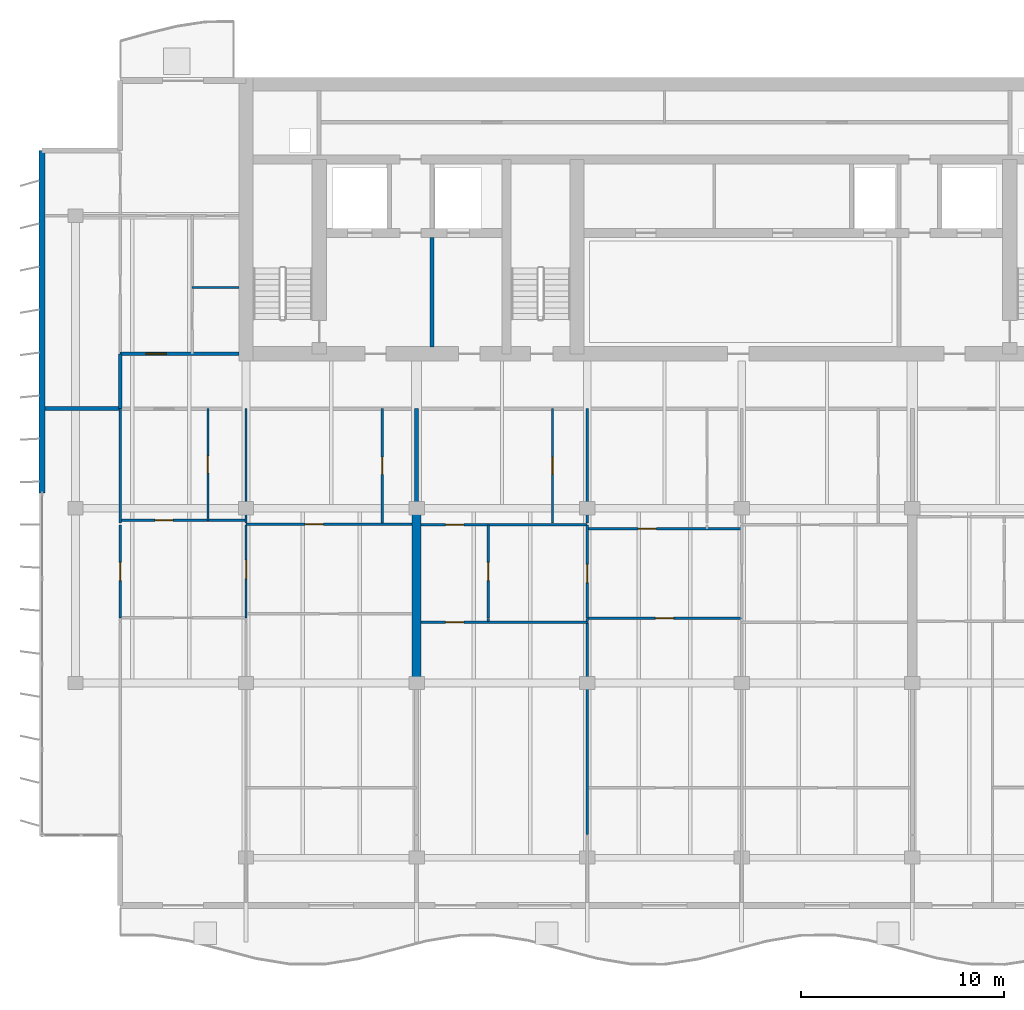
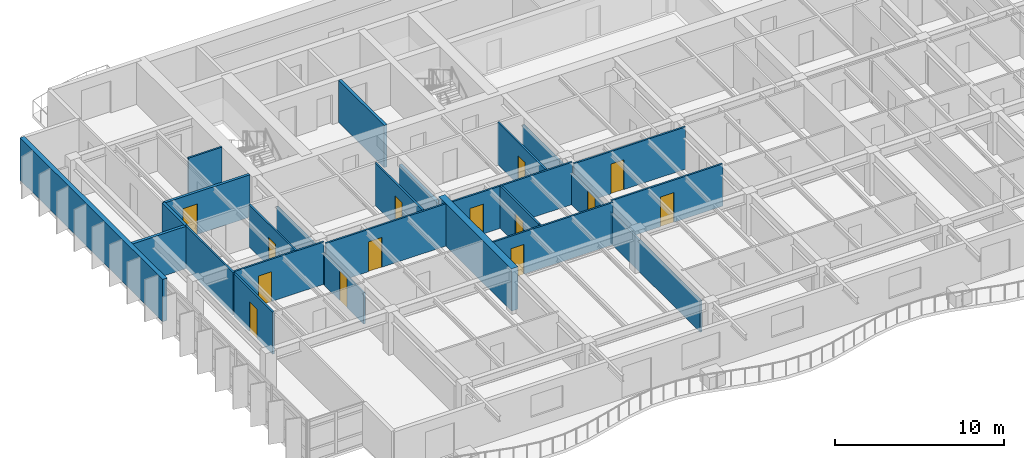
# One storey, part 8 of 19: 27 walls, 14 doors, 14 openings.
"""IFC4 building model written with IfcOpenShell, lengths in metres."""

from ifc_helpers import new_model, si_unit, direction, frame, frame_2d, origin, place, context, subcontext, project, spatial, rectangle, extrude, material, layer, layer_set, type_object, element, fill, save


model = new_model("IFC4")

# Units and contexts
model_context = context("Model", 3, precision=1e-05, world=origin(), true_north=direction((0.0, 1.0)))
body_context = subcontext(model_context, "Body", "Model", "MODEL_VIEW")
ifc_project = project(units=[si_unit("LENGTHUNIT", "METRE"), si_unit("AREAUNIT", "SQUARE_METRE"), si_unit("VOLUMEUNIT", "CUBIC_METRE"), si_unit("PLANEANGLEUNIT", "RADIAN"), si_unit("MASSUNIT", "GRAM", prefix="KILO")], contexts=[model_context])

# Site, building, storey
site_placement = place(None, origin())
site = spatial("IfcSite", under=ifc_project, at=site_placement, CompositionType="ELEMENT")
building_placement = place(site_placement, origin())
building = spatial("IfcBuilding", under=site, at=building_placement, Name="Caelmar Bay Residences", CompositionType="ELEMENT")
storey_placement = place(building_placement, frame((0.0, 0.0, 256.199951171875)))
storey = spatial("IfcBuildingStorey", under=building, at=storey_placement, Name="L72", CompositionType="ELEMENT", Elevation=256.199951171875)

# Walls
ifc_material_1 = material(Name="Concrete f'c 55 MPa (8,000 psi)", Category="concrete")
ifc_layer_1 = layer(ifc_material_1, 0.449951171875)
ifc_layer_set_1 = layer_set([ifc_layer_1], Name="Concrete f'c 55 MPa (8,000 psi)")
wall_type_1 = type_object("IfcWallType", Name="SW-XSLB-450", PredefinedType="SHEAR", material=ifc_layer_set_1)
wall_1_placement = place(storey_placement, frame((26.699951171875, 20.800048828125, 0.0), z_axis=(0.0, 0.0, 1.0), x_axis=(0.0, 1.0, 0.0)))
element("IfcWall", 1, at=wall_1_placement, inside=storey, type_object=wall_type_1, Name="L72 Transverse Cross-Slab Shear Wall W5", PredefinedType="SHEAR", context=body_context, shape_type="SweptSolid", body=[
    extrude(rectangle(XDim=8.599853515625, YDim=0.449951171875, at=frame_2d((4.2998046875, 0.0))), origin(), (0.0, 0.0, 1.0), 3.050048828125),
])
ifc_material_2 = material(Name="Double-stud acoustic fire-rated gypsum partition 180 mm")
ifc_layer_2 = layer(ifc_material_2, 0.179931640625)
ifc_layer_set_2 = layer_set([ifc_layer_2], Name="Double-stud acoustic fire-rated gypsum partition 180 mm")
wall_type_2 = type_object("IfcWallType", Name="W-COR-200", PredefinedType="PARTITIONING", material=ifc_layer_set_2)
wall_2_placement = place(storey_placement, frame((12.10009765625, 34.304931640625, 0.0), z_axis=(0.0, 0.0, 1.0), x_axis=(0.0, 1.0, 0.0)))
element("IfcWall", 2, at=wall_2_placement, inside=storey, type_object=wall_type_2, Name="L72 Partition Wall V005", PredefinedType="PARTITIONING", context=body_context, shape_type="SweptSolid", body=[
    extrude(rectangle(XDim=2.695068359375, YDim=0.179931640625, at=frame_2d((1.34765625, 0.0))), origin(), (0.0, 0.0, 1.0), 3.050048828125),
])

# Wall, opening, door
wall_3_placement = place(storey_placement, frame((12.10009765625, 37.0, 0.0), z_axis=(0.0, 0.0, 1.0), x_axis=(1.0, 0.0, 0.0)))
wall_3 = element("IfcWall", 3, at=wall_3_placement, inside=storey, type_object=wall_type_2, Name="L72 Partition Wall H089", PredefinedType="PARTITIONING", context=body_context, shape_type="SweptSolid", body=[
    extrude(rectangle(XDim=5.844970703125, YDim=0.179931640625, at=frame_2d((2.92236328125, 0.0))), origin(), (0.0, 0.0, 1.0), 3.050048828125),
])
opening_1_placement = place(wall_3_placement, frame((1.27490234375, 0.0, 0.0)))
opening_1 = element("IfcOpeningElement", 4, at=opening_1_placement, cuts=wall_3, Name="Opening D-L72-158", PredefinedType="OPENING", context=body_context, shape_type="SweptSolid", body=[
    extrude(rectangle(XDim=1.0, YDim=2.199951171875, at=frame_2d((0.5, 1.10009765625))), frame((0.0, 0.099853515625, 0.0), z_axis=(0.0, -1.0, 0.0), x_axis=(1.0, 0.0, 0.0)), (0.0, 0.0, 1.0), 0.199951171875),
])
ifc_material_3 = material(Name="Fire-rated steel and walnut architectural door assembly", Category="steel")
ifc_layer_3 = layer(ifc_material_3, 0.050048828125)
ifc_layer_set_3 = layer_set([ifc_layer_3], Name="Fire-rated steel and walnut architectural door assembly")
door_type_1 = type_object("IfcDoorType", Name="D-UNIT-1000", OperationType="NOTDEFINED", PredefinedType="DOOR", material=ifc_layer_set_3)
door_1_placement = place(opening_1_placement, origin())
door_1 = element("IfcDoor", 5, at=door_1_placement, inside=storey, type_object=door_type_1, Name="L72 Residence WA Kitchen Door", OperationType="SINGLE_SWING_RIGHT", OverallHeight=2.199951171875, OverallWidth=1.0, PredefinedType="DOOR", context=body_context, shape_type="SweptSolid", body=[
    extrude(rectangle(XDim=1.0, YDim=2.199951171875, at=frame_2d((0.5, 1.10009765625))), frame((0.0, 0.02490234375, 0.0), z_axis=(0.0, -1.0, 0.0), x_axis=(1.0, 0.0, 0.0)), (0.0, 0.0, 1.0), 0.050048828125),
])
fill(opening_1, door_1)

# Walls
ifc_material_4 = material(Name="Precast concrete f'c 40 MPa (6,000 psi)", Category="concrete")
ifc_layer_4 = layer(ifc_material_4, 0.300048828125)
ifc_layer_set_4 = layer_set([ifc_layer_4], Name="Precast concrete f'c 40 MPa (6,000 psi)")
wall_type_3 = type_object("IfcWallType", Name="W-EXT-300", PredefinedType="STANDARD", material=ifc_layer_set_4)
wall_4_placement = place(storey_placement, frame((8.25, 30.14990234375, 0.0), z_axis=(0.0, 0.0, 1.0), x_axis=(0.0, 1.0, 0.0)))
element("IfcWall", 6, at=wall_4_placement, inside=storey, type_object=wall_type_3, Name="L72 West Rear Exterior Wall", PredefinedType="STANDARD", context=body_context, shape_type="SweptSolid", body=[
    extrude(rectangle(XDim=16.85009765625, YDim=0.300048828125, at=frame_2d((8.425048828125, 0.0))), origin(), (0.0, 0.0, 1.0), 3.050048828125),
])
ifc_material_5 = material(Name="Fire-rated masonry and gypsum shaftliner assembly 200 mm", Category="masonry")
ifc_layer_5 = layer(ifc_material_5, 0.199951171875)
ifc_layer_set_5 = layer_set([ifc_layer_5], Name="Fire-rated masonry and gypsum shaftliner assembly 200 mm")
wall_type_4 = type_object("IfcWallType", Name="W-FSAE-200", PredefinedType="PARTITIONING", material=ifc_layer_set_5)
wall_5_placement = place(storey_placement, frame((27.449951171875, 37.344970703125, 0.0), z_axis=(0.0, 0.0, 1.0), x_axis=(0.0, 1.0, 0.0)))
element("IfcWall", 7, at=wall_5_placement, inside=storey, type_object=wall_type_4, Name="L72 Partition Wall V020", PredefinedType="PARTITIONING", context=body_context, shape_type="SweptSolid", body=[
    extrude(rectangle(XDim=5.385009765625, YDim=0.199951171875, at=frame_2d((2.6923828125, 0.0))), origin(), (0.0, 0.0, 1.0), 3.050048828125),
])

# Wall, opening, door
ifc_material_6 = material(Name="Acoustic metal-stud gypsum partition 120 mm")
ifc_layer_6 = layer(ifc_material_6, 0.1201171875)
ifc_layer_set_6 = layer_set([ifc_layer_6], Name="Acoustic metal-stud gypsum partition 120 mm")
wall_type_5 = type_object("IfcWallType", Name="W-PRT-120", PredefinedType="PARTITIONING", material=ifc_layer_set_6)
wall_6_placement = place(storey_placement, frame((12.10009765625, 24.0, 0.0), z_axis=(0.0, 0.0, 1.0), x_axis=(0.0, 1.0, 0.0)))
wall_6 = element("IfcWall", 8, at=wall_6_placement, inside=storey, type_object=wall_type_5, Name="L72 Partition Wall V003", PredefinedType="PARTITIONING", context=body_context, shape_type="SweptSolid", body=[
    extrude(rectangle(XDim=4.580078125, YDim=0.1201171875, at=frame_2d((2.2900390625, 0.0))), origin(), (0.0, 0.0, 1.0), 3.050048828125),
])
opening_2_placement = place(wall_6_placement, frame((1.840087890625, 0.0, 0.0)))
opening_2 = element("IfcOpeningElement", 9, at=opening_2_placement, cuts=wall_6, Name="Opening D-L72-156", PredefinedType="OPENING", context=body_context, shape_type="SweptSolid", body=[
    extrude(rectangle(XDim=0.89990234375, YDim=2.14990234375, at=frame_2d((0.449951171875, 1.074951171875))), frame((0.0, 0.070068359375, 0.0), z_axis=(0.0, -1.0, 0.0), x_axis=(1.0, 0.0, 0.0)), (0.0, 0.0, 1.0), 0.14013671875),
])
ifc_material_7 = material(Name="Solid walnut timber interior door leaf and frame", Category="wood")
ifc_layer_7 = layer(ifc_material_7, 0.050048828125)
ifc_layer_set_7 = layer_set([ifc_layer_7], Name="Solid walnut timber interior door leaf and frame")
door_type_2 = type_object("IfcDoorType", Name="D-ROOM-900", OperationType="NOTDEFINED", PredefinedType="DOOR", material=ifc_layer_set_7)
door_2_placement = place(opening_2_placement, origin())
door_2 = element("IfcDoor", 10, at=door_2_placement, inside=storey, type_object=door_type_2, Name="L72 Residence 01 Penthouse West Salon Door", OperationType="SINGLE_SWING_RIGHT", OverallHeight=2.14990234375, OverallWidth=0.89990234375, PredefinedType="DOOR", context=body_context, shape_type="SweptSolid", body=[
    extrude(rectangle(XDim=0.89990234375, YDim=2.14990234375, at=frame_2d((0.449951171875, 1.074951171875))), frame((0.0, 0.02490234375, 0.0), z_axis=(0.0, -1.0, 0.0), x_axis=(1.0, 0.0, 0.0)), (0.0, 0.0, 1.0), 0.050048828125),
])
fill(opening_2, door_2)

# Wall
wall_7_placement = place(storey_placement, frame((12.10009765625, 28.679931640625, 0.0), z_axis=(0.0, 0.0, 1.0), x_axis=(0.0, 1.0, 0.0)))
element("IfcWall", 11, at=wall_7_placement, inside=storey, type_object=wall_type_5, Name="L72 Partition Wall V004", PredefinedType="PARTITIONING", context=body_context, shape_type="SweptSolid", body=[
    extrude(rectangle(XDim=5.6201171875, YDim=0.1201171875, at=frame_2d((2.81005859375, 0.0))), origin(), (0.0, 0.0, 1.0), 3.050048828125),
])

# Wall, opening, door
wall_8_placement = place(storey_placement, frame((16.427001953125, 28.800048828125, 0.0), z_axis=(0.0, 0.0, 1.0), x_axis=(0.0, 1.0, 0.0)))
wall_8 = element("IfcWall", 12, at=wall_8_placement, inside=storey, type_object=wall_type_5, Name="L72 Partition Wall V008", PredefinedType="PARTITIONING", context=body_context, shape_type="SweptSolid", body=[
    extrude(rectangle(XDim=5.5, YDim=0.1201171875, at=frame_2d((2.75, 0.0))), origin(), (0.0, 0.0, 1.0), 3.050048828125),
])
opening_3_placement = place(wall_8_placement, frame((2.324951171875, 0.0, 0.0)))
opening_3 = element("IfcOpeningElement", 13, at=opening_3_placement, cuts=wall_8, Name="Opening D-L72-121", PredefinedType="OPENING", context=body_context, shape_type="SweptSolid", body=[
    extrude(rectangle(XDim=0.85009765625, YDim=2.10009765625, at=frame_2d((0.425048828125, 1.050048828125))), frame((0.0, 0.070068359375, 0.0), z_axis=(0.0, -1.0, 0.0), x_axis=(1.0, 0.0, 0.0)), (0.0, 0.0, 1.0), 0.14013671875),
])
ifc_layer_8 = layer(ifc_material_7, 0.050048828125)
ifc_layer_set_8 = layer_set([ifc_layer_8], Name="Solid walnut timber interior door leaf and frame")
door_type_3 = type_object("IfcDoorType", Name="D-BATH-850", OperationType="NOTDEFINED", PredefinedType="DOOR", material=ifc_layer_set_8)
door_3_placement = place(opening_3_placement, origin())
door_3 = element("IfcDoor", 14, at=door_3_placement, inside=storey, type_object=door_type_3, Name="L72 Residence 01 Guest Bathroom Door", OperationType="SINGLE_SWING_LEFT", OverallHeight=2.10009765625, OverallWidth=0.85009765625, PredefinedType="DOOR", context=body_context, shape_type="SweptSolid", body=[
    extrude(rectangle(XDim=0.85009765625, YDim=2.10009765625, at=frame_2d((0.425048828125, 1.050048828125))), frame((0.0, 0.02490234375, 0.0), z_axis=(0.0, -1.0, 0.0), x_axis=(1.0, 0.0, 0.0)), (0.0, 0.0, 1.0), 0.050048828125),
])
fill(opening_3, door_3)

wall_9_placement = place(storey_placement, frame((18.300048828125, 24.0, 0.0), z_axis=(0.0, 0.0, 1.0), x_axis=(0.0, 1.0, 0.0)))
wall_9 = element("IfcWall", 15, at=wall_9_placement, inside=storey, type_object=wall_type_5, Name="L72 Partition Wall V012", PredefinedType="PARTITIONING", context=body_context, shape_type="SweptSolid", body=[
    extrude(rectangle(XDim=4.580078125, YDim=0.1201171875, at=frame_2d((2.2900390625, 0.0))), origin(), (0.0, 0.0, 1.0), 2.262939453125),
])
opening_4_placement = place(wall_9_placement, frame((1.93994140625, 0.0, 0.0)))
opening_4 = element("IfcOpeningElement", 16, at=opening_4_placement, cuts=wall_9, Name="Opening D-L72-124", PredefinedType="OPENING", context=body_context, shape_type="SweptSolid", body=[
    extrude(rectangle(XDim=0.89990234375, YDim=2.14990234375, at=frame_2d((0.449951171875, 1.074951171875))), frame((0.0, 0.070068359375, 0.0), z_axis=(0.0, -1.0, 0.0), x_axis=(1.0, 0.0, 0.0)), (0.0, 0.0, 1.0), 0.14013671875),
])
door_4_placement = place(opening_4_placement, origin())
door_4 = element("IfcDoor", 17, at=door_4_placement, inside=storey, type_object=door_type_2, Name="L72 Residence 01 Family Room 1 Door", OperationType="SINGLE_SWING_RIGHT", OverallHeight=2.14990234375, OverallWidth=0.89990234375, PredefinedType="DOOR", context=body_context, shape_type="SweptSolid", body=[
    extrude(rectangle(XDim=0.89990234375, YDim=2.14990234375, at=frame_2d((0.449951171875, 1.074951171875))), frame((0.0, 0.02490234375, 0.0), z_axis=(0.0, -1.0, 0.0), x_axis=(1.0, 0.0, 0.0)), (0.0, 0.0, 1.0), 0.050048828125),
])
fill(opening_4, door_4)

# Wall
wall_10_placement = place(storey_placement, frame((18.300048828125, 28.679931640625, 0.0), z_axis=(0.0, 0.0, 1.0), x_axis=(0.0, 1.0, 0.0)))
element("IfcWall", 18, at=wall_10_placement, inside=storey, type_object=wall_type_5, Name="L72 Partition Wall V013", PredefinedType="PARTITIONING", context=body_context, shape_type="SweptSolid", body=[
    extrude(rectangle(XDim=5.6201171875, YDim=0.1201171875, at=frame_2d((2.81005859375, 0.0))), origin(), (0.0, 0.0, 1.0), 2.262939453125),
])

# Wall, opening, door
wall_11_placement = place(storey_placement, frame((25.01611328125, 28.679931640625, 0.0), z_axis=(0.0, 0.0, 1.0), x_axis=(0.0, 1.0, 0.0)))
wall_11 = element("IfcWall", 19, at=wall_11_placement, inside=storey, type_object=wall_type_5, Name="L72 Partition Wall V015", PredefinedType="PARTITIONING", context=body_context, shape_type="SweptSolid", body=[
    extrude(rectangle(XDim=5.6201171875, YDim=0.1201171875, at=frame_2d((2.81005859375, 0.0))), origin(), (0.0, 0.0, 1.0), 3.050048828125),
])
opening_5_placement = place(wall_11_placement, frame((2.385009765625, 0.0, 0.0)))
opening_5 = element("IfcOpeningElement", 20, at=opening_5_placement, cuts=wall_11, Name="Opening D-L72-126", PredefinedType="OPENING", context=body_context, shape_type="SweptSolid", body=[
    extrude(rectangle(XDim=0.85009765625, YDim=2.10009765625, at=frame_2d((0.425048828125, 1.050048828125))), frame((0.0, 0.070068359375, 0.0), z_axis=(0.0, -1.0, 0.0), x_axis=(1.0, 0.0, 0.0)), (0.0, 0.0, 1.0), 0.14013671875),
])
door_5_placement = place(opening_5_placement, origin())
door_5 = element("IfcDoor", 21, at=door_5_placement, inside=storey, type_object=door_type_3, Name="L72 Residence 01 En-Suite Bathroom 1 Door", OperationType="SINGLE_SWING_RIGHT", OverallHeight=2.10009765625, OverallWidth=0.85009765625, PredefinedType="DOOR", context=body_context, shape_type="SweptSolid", body=[
    extrude(rectangle(XDim=0.85009765625, YDim=2.10009765625, at=frame_2d((0.425048828125, 1.050048828125))), frame((0.0, 0.02490234375, 0.0), z_axis=(0.0, -1.0, 0.0), x_axis=(1.0, 0.0, 0.0)), (0.0, 0.0, 1.0), 0.050048828125),
])
fill(opening_5, door_5)

# Wall
wall_12_placement = place(storey_placement, frame((30.22802734375, 23.830078125, 0.0), z_axis=(0.0, 0.0, 1.0), x_axis=(0.0, 1.0, 0.0)))
element("IfcWall", 22, at=wall_12_placement, inside=storey, type_object=wall_type_5, Name="L72 Partition Wall V022", PredefinedType="PARTITIONING", context=body_context, shape_type="SweptSolid", body=[
    extrude(rectangle(XDim=0.14990234375, YDim=0.1201171875, at=frame_2d((0.074951171875, 0.0))), origin(), (0.0, 0.0, 1.0), 3.050048828125),
])

# Wall, opening, door
wall_13_placement = place(storey_placement, frame((30.22802734375, 24.0, 0.0), z_axis=(0.0, 0.0, 1.0), x_axis=(0.0, 1.0, 0.0)))
wall_13 = element("IfcWall", 23, at=wall_13_placement, inside=storey, type_object=wall_type_5, Name="L72 Partition Wall V023", PredefinedType="PARTITIONING", context=body_context, shape_type="SweptSolid", body=[
    extrude(rectangle(XDim=4.580078125, YDim=0.1201171875, at=frame_2d((2.2900390625, 0.0))), origin(), (0.0, 0.0, 1.0), 3.050048828125),
])
opening_6_placement = place(wall_13_placement, frame((1.840087890625, 0.0, 0.0)))
opening_6 = element("IfcOpeningElement", 24, at=opening_6_placement, cuts=wall_13, Name="Opening D-L72-132", PredefinedType="OPENING", context=body_context, shape_type="SweptSolid", body=[
    extrude(rectangle(XDim=0.89990234375, YDim=2.14990234375, at=frame_2d((0.449951171875, 1.074951171875))), frame((0.0, 0.070068359375, 0.0), z_axis=(0.0, -1.0, 0.0), x_axis=(1.0, 0.0, 0.0)), (0.0, 0.0, 1.0), 0.14013671875),
])
door_6_placement = place(opening_6_placement, origin())
door_6 = element("IfcDoor", 25, at=door_6_placement, inside=storey, type_object=door_type_2, Name="L72 Residence 02 Kitchen Door", OperationType="SINGLE_SWING_RIGHT", OverallHeight=2.14990234375, OverallWidth=0.89990234375, PredefinedType="DOOR", context=body_context, shape_type="SweptSolid", body=[
    extrude(rectangle(XDim=0.89990234375, YDim=2.14990234375, at=frame_2d((0.449951171875, 1.074951171875))), frame((0.0, 0.02490234375, 0.0), z_axis=(0.0, -1.0, 0.0), x_axis=(1.0, 0.0, 0.0)), (0.0, 0.0, 1.0), 0.050048828125),
])
fill(opening_6, door_6)

wall_14_placement = place(storey_placement, frame((33.386962890625, 28.679931640625, 0.0), z_axis=(0.0, 0.0, 1.0), x_axis=(0.0, 1.0, 0.0)))
wall_14 = element("IfcWall", 26, at=wall_14_placement, inside=storey, type_object=wall_type_5, Name="L72 Partition Wall V024", PredefinedType="PARTITIONING", context=body_context, shape_type="SweptSolid", body=[
    extrude(rectangle(XDim=5.6201171875, YDim=0.1201171875, at=frame_2d((2.81005859375, 0.0))), origin(), (0.0, 0.0, 1.0), 3.050048828125),
])
opening_7_placement = place(wall_14_placement, frame((2.385009765625, 0.0, 0.0)))
opening_7 = element("IfcOpeningElement", 27, at=opening_7_placement, cuts=wall_14, Name="Opening D-L72-130", PredefinedType="OPENING", context=body_context, shape_type="SweptSolid", body=[
    extrude(rectangle(XDim=0.85009765625, YDim=2.10009765625, at=frame_2d((0.425048828125, 1.050048828125))), frame((0.0, 0.070068359375, 0.0), z_axis=(0.0, -1.0, 0.0), x_axis=(1.0, 0.0, 0.0)), (0.0, 0.0, 1.0), 0.14013671875),
])
door_7_placement = place(opening_7_placement, origin())
door_7 = element("IfcDoor", 28, at=door_7_placement, inside=storey, type_object=door_type_3, Name="L72 Residence 02 Guest Bathroom Door", OperationType="SINGLE_SWING_RIGHT", OverallHeight=2.10009765625, OverallWidth=0.85009765625, PredefinedType="DOOR", context=body_context, shape_type="SweptSolid", body=[
    extrude(rectangle(XDim=0.85009765625, YDim=2.10009765625, at=frame_2d((0.425048828125, 1.050048828125))), frame((0.0, 0.02490234375, 0.0), z_axis=(0.0, -1.0, 0.0), x_axis=(1.0, 0.0, 0.0)), (0.0, 0.0, 1.0), 0.050048828125),
])
fill(opening_7, door_7)

# Walls
wall_15_placement = place(storey_placement, frame((35.10009765625, 13.340087890625, 0.0), z_axis=(0.0, 0.0, 1.0), x_axis=(0.0, 1.0, 0.0)))
element("IfcWall", 29, at=wall_15_placement, inside=storey, type_object=wall_type_5, Name="L72 Partition Wall V026", PredefinedType="PARTITIONING", context=body_context, shape_type="SweptSolid", body=[
    extrude(rectangle(XDim=10.43994140625, YDim=0.1201171875, at=frame_2d((5.219970703125, 0.0))), origin(), (0.0, 0.0, 1.0), 2.262939453125),
])
wall_16_placement = place(storey_placement, frame((35.10009765625, 23.830078125, 0.0), z_axis=(0.0, 0.0, 1.0), x_axis=(0.0, 1.0, 0.0)))
element("IfcWall", 30, at=wall_16_placement, inside=storey, type_object=wall_type_5, Name="L72 Partition Wall V027", PredefinedType="PARTITIONING", context=body_context, shape_type="SweptSolid", body=[
    extrude(rectangle(XDim=0.14990234375, YDim=0.1201171875, at=frame_2d((0.074951171875, 0.0))), origin(), (0.0, 0.0, 1.0), 2.262939453125),
])

# Wall, opening, door
wall_17_placement = place(storey_placement, frame((35.10009765625, 24.0, 0.0), z_axis=(0.0, 0.0, 1.0), x_axis=(0.0, 1.0, 0.0)))
wall_17 = element("IfcWall", 31, at=wall_17_placement, inside=storey, type_object=wall_type_5, Name="L72 Partition Wall V028", PredefinedType="PARTITIONING", context=body_context, shape_type="SweptSolid", body=[
    extrude(rectangle(XDim=4.580078125, YDim=0.1201171875, at=frame_2d((2.2900390625, 0.0))), origin(), (0.0, 0.0, 1.0), 2.262939453125),
])
opening_8_placement = place(wall_17_placement, frame((1.739990234375, 0.0, 0.0)))
opening_8 = element("IfcOpeningElement", 32, at=opening_8_placement, cuts=wall_17, Name="Opening D-L72-134", PredefinedType="OPENING", context=body_context, shape_type="SweptSolid", body=[
    extrude(rectangle(XDim=0.89990234375, YDim=2.14990234375, at=frame_2d((0.449951171875, 1.074951171875))), frame((0.0, 0.070068359375, 0.0), z_axis=(0.0, -1.0, 0.0), x_axis=(1.0, 0.0, 0.0)), (0.0, 0.0, 1.0), 0.14013671875),
])
door_8_placement = place(opening_8_placement, origin())
door_8 = element("IfcDoor", 33, at=door_8_placement, inside=storey, type_object=door_type_2, Name="L72 Residence 02 Family Room 1 Door", OperationType="SINGLE_SWING_RIGHT", OverallHeight=2.14990234375, OverallWidth=0.89990234375, PredefinedType="DOOR", context=body_context, shape_type="SweptSolid", body=[
    extrude(rectangle(XDim=0.89990234375, YDim=2.14990234375, at=frame_2d((0.449951171875, 1.074951171875))), frame((0.0, 0.02490234375, 0.0), z_axis=(0.0, -1.0, 0.0), x_axis=(1.0, 0.0, 0.0)), (0.0, 0.0, 1.0), 0.050048828125),
])
fill(opening_8, door_8)

# Wall
wall_18_placement = place(storey_placement, frame((35.10009765625, 28.679931640625, 0.0), z_axis=(0.0, 0.0, 1.0), x_axis=(0.0, 1.0, 0.0)))
element("IfcWall", 34, at=wall_18_placement, inside=storey, type_object=wall_type_5, Name="L72 Partition Wall V029", PredefinedType="PARTITIONING", context=body_context, shape_type="SweptSolid", body=[
    extrude(rectangle(XDim=5.6201171875, YDim=0.1201171875, at=frame_2d((2.81005859375, 0.0))), origin(), (0.0, 0.0, 1.0), 2.262939453125),
])

# Wall, opening, door
wall_19_placement = place(storey_placement, frame((26.919921875, 23.780029296875, 0.0), z_axis=(0.0, 0.0, 1.0), x_axis=(1.0, 0.0, 0.0)))
wall_19 = element("IfcWall", 35, at=wall_19_placement, inside=storey, type_object=wall_type_5, Name="L72 Partition Wall H073", PredefinedType="PARTITIONING", context=body_context, shape_type="SweptSolid", body=[
    extrude(rectangle(XDim=8.18017578125, YDim=0.1201171875, at=frame_2d((4.090087890625, 0.0))), origin(), (0.0, 0.0, 1.0), 3.050048828125),
])
opening_9_placement = place(wall_19_placement, frame((1.2041015625, 0.0, 0.0)))
opening_9 = element("IfcOpeningElement", 36, at=opening_9_placement, cuts=wall_19, Name="Opening D-L72-133", PredefinedType="OPENING", context=body_context, shape_type="SweptSolid", body=[
    extrude(rectangle(XDim=0.89990234375, YDim=2.14990234375, at=frame_2d((0.449951171875, 1.074951171875))), frame((0.0, 0.070068359375, 0.0), z_axis=(0.0, -1.0, 0.0), x_axis=(1.0, 0.0, 0.0)), (0.0, 0.0, 1.0), 0.14013671875),
])
door_9_placement = place(opening_9_placement, origin())
door_9 = element("IfcDoor", 37, at=door_9_placement, inside=storey, type_object=door_type_2, Name="L72 Residence 02 Penthouse Living Salon Door", OperationType="SINGLE_SWING_LEFT", OverallHeight=2.14990234375, OverallWidth=0.89990234375, PredefinedType="DOOR", context=body_context, shape_type="SweptSolid", body=[
    extrude(rectangle(XDim=0.89990234375, YDim=2.14990234375, at=frame_2d((0.449951171875, 1.074951171875))), frame((0.0, 0.02490234375, 0.0), z_axis=(0.0, -1.0, 0.0), x_axis=(1.0, 0.0, 0.0)), (0.0, 0.0, 1.0), 0.050048828125),
])
fill(opening_9, door_9)

wall_20_placement = place(storey_placement, frame((35.10498046875, 23.97998046875, 0.0), z_axis=(0.0, 0.0, 1.0), x_axis=(1.0, 0.0, 0.0)))
wall_20 = element("IfcWall", 38, at=wall_20_placement, inside=storey, type_object=wall_type_5, Name="L72 Partition Wall H076", PredefinedType="PARTITIONING", context=body_context, shape_type="SweptSolid", body=[
    extrude(rectangle(XDim=7.590087890625, YDim=0.1201171875, at=frame_2d((3.794921875, 0.0))), origin(), (0.0, 0.0, 1.0), 3.050048828125),
])
opening_10_placement = place(wall_20_placement, frame((3.344970703125, 0.0, 0.0)))
opening_10 = element("IfcOpeningElement", 39, at=opening_10_placement, cuts=wall_20, Name="Opening D-L72-137", PredefinedType="OPENING", context=body_context, shape_type="SweptSolid", body=[
    extrude(rectangle(XDim=0.89990234375, YDim=2.14990234375, at=frame_2d((0.449951171875, 1.074951171875))), frame((0.0, 0.070068359375, 0.0), z_axis=(0.0, -1.0, 0.0), x_axis=(1.0, 0.0, 0.0)), (0.0, 0.0, 1.0), 0.14013671875),
])
door_10_placement = place(opening_10_placement, origin())
door_10 = element("IfcDoor", 40, at=door_10_placement, inside=storey, type_object=door_type_2, Name="L72 Residence 02 Penthouse Sitting Salon 1 Door", OperationType="SINGLE_SWING_LEFT", OverallHeight=2.14990234375, OverallWidth=0.89990234375, PredefinedType="DOOR", context=body_context, shape_type="SweptSolid", body=[
    extrude(rectangle(XDim=0.89990234375, YDim=2.14990234375, at=frame_2d((0.449951171875, 1.074951171875))), frame((0.0, 0.02490234375, 0.0), z_axis=(0.0, -1.0, 0.0), x_axis=(1.0, 0.0, 0.0)), (0.0, 0.0, 1.0), 0.050048828125),
])
fill(opening_10, door_10)

wall_21_placement = place(storey_placement, frame((35.10009765625, 28.3798828125, 0.0), z_axis=(0.0, 0.0, 1.0), x_axis=(1.0, 0.0, 0.0)))
wall_21 = element("IfcWall", 41, at=wall_21_placement, inside=storey, type_object=wall_type_5, Name="L72 Partition Wall H079", PredefinedType="PARTITIONING", context=body_context, shape_type="SweptSolid", body=[
    extrude(rectangle(XDim=7.599853515625, YDim=0.1201171875, at=frame_2d((3.7998046875, 0.0))), origin(), (0.0, 0.0, 1.0), 3.050048828125),
])
opening_11_placement = place(wall_21_placement, frame((2.4970703125, 0.0, 0.0)))
opening_11 = element("IfcOpeningElement", 42, at=opening_11_placement, cuts=wall_21, Name="Opening D-L72-135", PredefinedType="OPENING", context=body_context, shape_type="SweptSolid", body=[
    extrude(rectangle(XDim=0.89990234375, YDim=2.14990234375, at=frame_2d((0.449951171875, 1.074951171875))), frame((0.0, 0.070068359375, 0.0), z_axis=(0.0, -1.0, 0.0), x_axis=(1.0, 0.0, 0.0)), (0.0, 0.0, 1.0), 0.14013671875),
])
door_11_placement = place(opening_11_placement, origin())
door_11 = element("IfcDoor", 43, at=door_11_placement, inside=storey, type_object=door_type_2, Name="L72 Residence 02 Sitting Room 1 Door", OperationType="SINGLE_SWING_LEFT", OverallHeight=2.14990234375, OverallWidth=0.89990234375, PredefinedType="DOOR", context=body_context, shape_type="SweptSolid", body=[
    extrude(rectangle(XDim=0.89990234375, YDim=2.14990234375, at=frame_2d((0.449951171875, 1.074951171875))), frame((0.0, 0.02490234375, 0.0), z_axis=(0.0, -1.0, 0.0), x_axis=(1.0, 0.0, 0.0)), (0.0, 0.0, 1.0), 0.050048828125),
])
fill(opening_11, door_11)

wall_22_placement = place(storey_placement, frame((26.919921875, 28.580078125, 0.0), z_axis=(0.0, 0.0, 1.0), x_axis=(1.0, 0.0, 0.0)))
wall_22 = element("IfcWall", 44, at=wall_22_placement, inside=storey, type_object=wall_type_5, Name="L72 Partition Wall H080", PredefinedType="PARTITIONING", context=body_context, shape_type="SweptSolid", body=[
    extrude(rectangle(XDim=8.175048828125, YDim=0.1201171875, at=frame_2d((4.08740234375, 0.0))), origin(), (0.0, 0.0, 1.0), 3.050048828125),
])
opening_12_placement = place(wall_22_placement, frame((1.2041015625, 0.0, 0.0)))
opening_12 = element("IfcOpeningElement", 45, at=opening_12_placement, cuts=wall_22, Name="Opening D-L72-131", PredefinedType="OPENING", context=body_context, shape_type="SweptSolid", body=[
    extrude(rectangle(XDim=0.89990234375, YDim=2.14990234375, at=frame_2d((0.449951171875, 1.074951171875))), frame((0.0, 0.070068359375, 0.0), z_axis=(0.0, -1.0, 0.0), x_axis=(1.0, 0.0, 0.0)), (0.0, 0.0, 1.0), 0.14013671875),
])
door_12_placement = place(opening_12_placement, origin())
door_12 = element("IfcDoor", 46, at=door_12_placement, inside=storey, type_object=door_type_2, Name="L72 Residence 02 Dining Room Door", OperationType="SINGLE_SWING_LEFT", OverallHeight=2.14990234375, OverallWidth=0.89990234375, PredefinedType="DOOR", context=body_context, shape_type="SweptSolid", body=[
    extrude(rectangle(XDim=0.89990234375, YDim=2.14990234375, at=frame_2d((0.449951171875, 1.074951171875))), frame((0.0, 0.02490234375, 0.0), z_axis=(0.0, -1.0, 0.0), x_axis=(1.0, 0.0, 0.0)), (0.0, 0.0, 1.0), 0.050048828125),
])
fill(opening_12, door_12)

wall_23_placement = place(storey_placement, frame((18.300048828125, 28.60009765625, 0.0), z_axis=(0.0, 0.0, 1.0), x_axis=(1.0, 0.0, 0.0)))
wall_23 = element("IfcWall", 47, at=wall_23_placement, inside=storey, type_object=wall_type_5, Name="L72 Partition Wall H082", PredefinedType="PARTITIONING", context=body_context, shape_type="SweptSolid", body=[
    extrude(rectangle(XDim=8.179931640625, YDim=0.1201171875, at=frame_2d((4.08984375, 0.0))), origin(), (0.0, 0.0, 1.0), 3.050048828125),
])
opening_13_placement = place(wall_23_placement, frame((2.907958984375, 0.0, 0.0)))
opening_13 = element("IfcOpeningElement", 48, at=opening_13_placement, cuts=wall_23, Name="Opening D-L72-125", PredefinedType="OPENING", context=body_context, shape_type="SweptSolid", body=[
    extrude(rectangle(XDim=0.89990234375, YDim=2.14990234375, at=frame_2d((0.449951171875, 1.074951171875))), frame((0.0, 0.070068359375, 0.0), z_axis=(0.0, -1.0, 0.0), x_axis=(1.0, 0.0, 0.0)), (0.0, 0.0, 1.0), 0.14013671875),
])
door_13_placement = place(opening_13_placement, origin())
door_13 = element("IfcDoor", 49, at=door_13_placement, inside=storey, type_object=door_type_2, Name="L72 Residence 01 Sitting Room 1 Door", OperationType="SINGLE_SWING_LEFT", OverallHeight=2.14990234375, OverallWidth=0.89990234375, PredefinedType="DOOR", context=body_context, shape_type="SweptSolid", body=[
    extrude(rectangle(XDim=0.89990234375, YDim=2.14990234375, at=frame_2d((0.449951171875, 1.074951171875))), frame((0.0, 0.02490234375, 0.0), z_axis=(0.0, -1.0, 0.0), x_axis=(1.0, 0.0, 0.0)), (0.0, 0.0, 1.0), 0.050048828125),
])
fill(opening_13, door_13)

wall_24_placement = place(storey_placement, frame((12.10009765625, 28.800048828125, 0.0), z_axis=(0.0, 0.0, 1.0), x_axis=(1.0, 0.0, 0.0)))
wall_24 = element("IfcWall", 50, at=wall_24_placement, inside=storey, type_object=wall_type_5, Name="L72 Partition Wall H084", PredefinedType="PARTITIONING", context=body_context, shape_type="SweptSolid", body=[
    extrude(rectangle(XDim=6.19482421875, YDim=0.1201171875, at=frame_2d((3.097412109375, 0.0))), origin(), (0.0, 0.0, 1.0), 3.050048828125),
])
opening_14_placement = place(wall_24_placement, frame((1.71337890625, 0.0, 0.0)))
opening_14 = element("IfcOpeningElement", 51, at=opening_14_placement, cuts=wall_24, Name="Opening D-L72-122", PredefinedType="OPENING", context=body_context, shape_type="SweptSolid", body=[
    extrude(rectangle(XDim=0.89990234375, YDim=2.14990234375, at=frame_2d((0.449951171875, 1.074951171875))), frame((0.0, 0.070068359375, 0.0), z_axis=(0.0, -1.0, 0.0), x_axis=(1.0, 0.0, 0.0)), (0.0, 0.0, 1.0), 0.14013671875),
])
door_14_placement = place(opening_14_placement, origin())
door_14 = element("IfcDoor", 52, at=door_14_placement, inside=storey, type_object=door_type_2, Name="L72 Residence 01 Kitchen Door", OperationType="SINGLE_SWING_RIGHT", OverallHeight=2.14990234375, OverallWidth=0.89990234375, PredefinedType="DOOR", context=body_context, shape_type="SweptSolid", body=[
    extrude(rectangle(XDim=0.89990234375, YDim=2.14990234375, at=frame_2d((0.449951171875, 1.074951171875))), frame((0.0, 0.02490234375, 0.0), z_axis=(0.0, -1.0, 0.0), x_axis=(1.0, 0.0, 0.0)), (0.0, 0.0, 1.0), 0.050048828125),
])
fill(opening_14, door_14)

# Walls
wall_25_placement = place(storey_placement, frame((15.64990234375, 40.263916015625, 0.0), z_axis=(0.0, 0.0, 1.0), x_axis=(1.0, 0.0, 0.0)))
element("IfcWall", 53, at=wall_25_placement, inside=storey, type_object=wall_type_5, Name="L72 Partition Wall H091", PredefinedType="PARTITIONING", context=body_context, shape_type="SweptSolid", body=[
    extrude(rectangle(XDim=2.30517578125, YDim=0.1201171875, at=frame_2d((1.152587890625, 0.0))), origin(), (0.0, 0.0, 1.0), 3.050048828125),
])
ifc_material_8 = material(Name="Acoustic twin-stud fire-rated inter-tenancy partition 200 mm")
ifc_layer_9 = layer(ifc_material_8, 0.199951171875)
ifc_layer_set_9 = layer_set([ifc_layer_9], Name="Acoustic twin-stud fire-rated inter-tenancy partition 200 mm")
wall_type_6 = type_object("IfcWallType", Name="W-PTY-200", PredefinedType="PARTITIONING", material=ifc_layer_set_9)
wall_26_placement = place(storey_placement, frame((26.699951171875, 29.405029296875, 0.0), z_axis=(0.0, 0.0, 1.0), x_axis=(0.0, 1.0, 0.0)))
element("IfcWall", 54, at=wall_26_placement, inside=storey, type_object=wall_type_6, Name="L72 Partition Wall V019", PredefinedType="PARTITIONING", context=body_context, shape_type="SweptSolid", body=[
    extrude(rectangle(XDim=4.89501953125, YDim=0.199951171875, at=frame_2d((2.447509765625, 0.0))), origin(), (0.0, 0.0, 1.0), 2.3349609375),
])
wall_27_placement = place(storey_placement, frame((8.39501953125, 34.300048828125, 0.0), z_axis=(0.0, 0.0, 1.0), x_axis=(1.0, 0.0, 0.0)))
element("IfcWall", 55, at=wall_27_placement, inside=storey, type_object=wall_type_6, Name="L72 Partition Wall H086", PredefinedType="PARTITIONING", context=body_context, shape_type="SweptSolid", body=[
    extrude(rectangle(XDim=3.705078125, YDim=0.199951171875, at=frame_2d((1.8525390625, 0.0))), origin(), (0.0, 0.0, 1.0), 3.050048828125),
])

save(model, "model.ifc")
